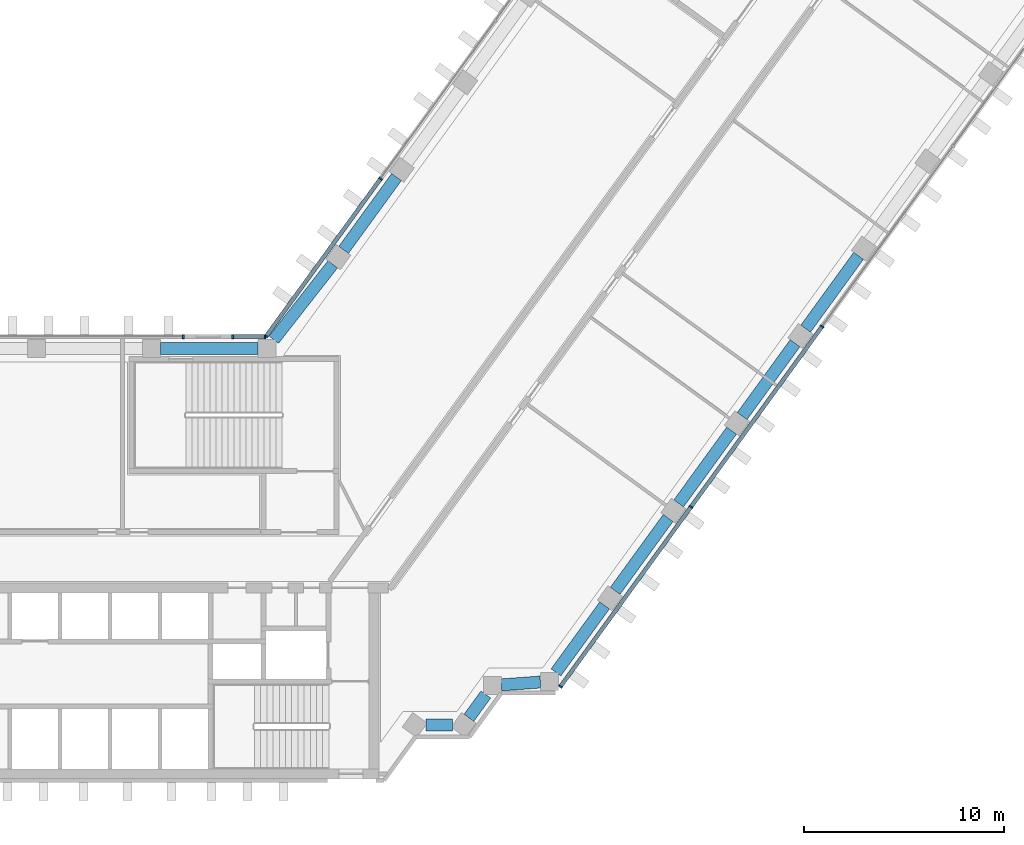
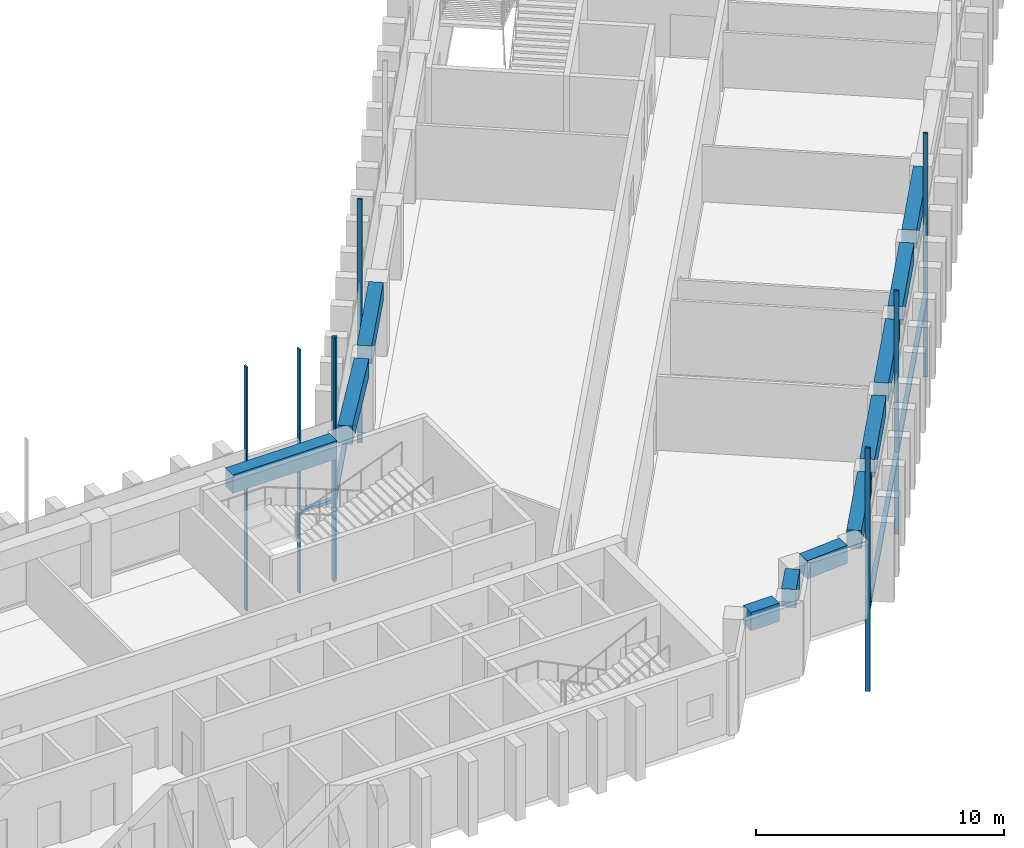
# One storey, part 5 of 18: 12 members, 11 beams, 4 elements without a shape of their own.
"""IFC4 building model written with IfcOpenShell, lengths in metres."""

import ifcopenshell
import ifcopenshell.guid

model = None  # the IFC model being written
_history = None  # IfcOwnerHistory: only IFC2X3 demands one
_inside = {}  # id of a spatial element -> (the spatial element, [elements in it])
_under = {}  # id of a project, library or spatial element -> (it, [spatial elements below it])
_declared = {}  # id of a project -> (the project, [libraries it declares])
_typed = {}  # id of a type object -> (the type object, [elements of that type])
_made_of = {}  # id of a material, layer set ... -> (it, [elements and type objects made of it])


def new_model(schema):
    """Start an empty IFC model of exactly this schema.

    Asked for "IFC4X3", IfcOpenShell would pick the latest addendum, in which some entities
    have other attributes; the version numbers below select the first issue.
    IFC2X3 requires an IfcOwnerHistory on every rooted entity: one is made here for all.
    """
    global model, _history
    if schema == "IFC4X3":
        model = ifcopenshell.file(schema_version=(4, 3, 0, 0))
    else:
        model = ifcopenshell.file(schema=schema)
    _inside.clear()
    _under.clear()
    _declared.clear()
    _typed.clear()
    _made_of.clear()
    _history = None
    if model.schema == "IFC2X3":
        org = make("IfcOrganization", Name="unknown")
        user = make(
            "IfcPersonAndOrganization",
            ThePerson=make("IfcPerson", FamilyName="unknown"),
            TheOrganization=org,
        )
        app = make(
            "IfcApplication",
            ApplicationDeveloper=org,
            Version="unknown",
            ApplicationFullName="unknown",
            ApplicationIdentifier="unknown",
        )
        _history = make(
            "IfcOwnerHistory",
            OwningUser=user,
            OwningApplication=app,
            ChangeAction="ADDED",
            CreationDate=0,
        )
    return model


def make(cls, **values):
    """One entity of the class cls with the attributes given. An attribute that is None is left unset."""
    return model.create_entity(
        cls, **{name: value for name, value in values.items() if value is not None}
    )


def rooted(cls, **values):
    """An entity with a GlobalId (a new one), such as an element, a storey or a relation."""
    return make(cls, GlobalId=ifcopenshell.guid.new(), OwnerHistory=_history, **values)


def si_unit(unit_type, name, prefix=None):
    """IfcSIUnit, for example si_unit("LENGTHUNIT", "METRE", prefix="MILLI")."""
    return make("IfcSIUnit", UnitType=unit_type, Prefix=prefix, Name=name)


def assignment(units):
    """IfcUnitAssignment: the units of a project."""
    return None if units is None else make("IfcUnitAssignment", Units=units)


def point(xyz):
    """IfcCartesianPoint."""
    return None if xyz is None else make("IfcCartesianPoint", Coordinates=xyz)


def direction(xyz):
    """IfcDirection."""
    return None if xyz is None else make("IfcDirection", DirectionRatios=xyz)


def frame(location, z_axis=None, x_axis=None):
    """IfcAxis2Placement3D, a coordinate frame: its origin and axes. An axis left out is left unset."""
    return make(
        "IfcAxis2Placement3D",
        Location=point(location),
        Axis=direction(z_axis),
        RefDirection=direction(x_axis),
    )


def frame_2d(location, x_axis=None):
    """IfcAxis2Placement2D, a coordinate frame in the plane: its origin and x axis."""
    return make(
        "IfcAxis2Placement2D", Location=point(location), RefDirection=direction(x_axis)
    )


def origin():
    """The frame at (0, 0, 0) with its axes left unset."""
    return frame((0.0, 0.0, 0.0))


def origin_2d():
    """The frame at (0, 0) in the plane with its x axis left unset."""
    return frame_2d((0.0, 0.0))


def place(relative_to, where):
    """IfcLocalPlacement: puts the frame where relative to a parent placement (None: the world)."""
    return make(
        "IfcLocalPlacement", PlacementRelTo=relative_to, RelativePlacement=where
    )


def context(
    kind, dimensions, precision=None, world=None, true_north=None, identifier=None
):
    """IfcGeometricRepresentationContext, for example the 3D "Model" context."""
    return make(
        "IfcGeometricRepresentationContext",
        ContextIdentifier=identifier,
        ContextType=kind,
        CoordinateSpaceDimension=dimensions,
        Precision=precision,
        WorldCoordinateSystem=world,
        TrueNorth=true_north,
    )


def subcontext(parent, identifier, kind, view, scale=None):
    """IfcGeometricRepresentationSubContext, for example "Body" below "Model"."""
    return make(
        "IfcGeometricRepresentationSubContext",
        ContextIdentifier=identifier,
        ContextType=kind,
        ParentContext=parent,
        TargetScale=scale,
        TargetView=view,
    )


def project(units=None, contexts=None):
    """IfcProject with its units and contexts."""
    return rooted(
        "IfcProject",
        Name="project",
        RepresentationContexts=contexts,
        UnitsInContext=assignment(units),
    )


def spatial(cls, under=None, at=None, **own):
    """A site, building, storey or space (cls), placed at a placement, below another one or the project."""
    s = rooted(cls, ObjectPlacement=at, **own)
    if under is not None:
        _under.setdefault(under.id(), (under, []))[1].append(s)
    return s


def profile(cls, at=None, kind="AREA", **sizes):
    """A parametric profile (cls). Its sizes go by their IFC names, for example OverallWidth=200.0."""
    return make(cls, ProfileType=kind, Position=at, **sizes)


def rectangle(**sizes):
    """IfcRectangleProfileDef."""
    return profile("IfcRectangleProfileDef", **sizes)


def extrude(swept, where, along, depth):
    """IfcExtrudedAreaSolid: the profile swept, set in the frame where, extruded along a direction by depth."""
    return make(
        "IfcExtrudedAreaSolid",
        SweptArea=swept,
        Position=where,
        ExtrudedDirection=direction(along),
        Depth=depth,
    )


def shape(context_of_items, identifier, shape_type, items):
    """IfcShapeRepresentation: the items that make up one representation, for example the "Body"."""
    return make(
        "IfcShapeRepresentation",
        ContextOfItems=context_of_items,
        RepresentationIdentifier=identifier,
        RepresentationType=shape_type,
        Items=items,
    )


def material(Name=None, Category=None):
    """IfcMaterial."""
    return make("IfcMaterial", Name=Name, Category=Category)


def material_profile(
    of_material, cross_section, Name=None, Category=None, Priority=None
):
    """IfcMaterialProfile: a cross section and its material."""
    return make(
        "IfcMaterialProfile",
        Name=Name,
        Material=of_material,
        Profile=cross_section,
        Priority=Priority,
        Category=Category,
    )


def profile_set(profiles, Name=None, composite=None):
    """IfcMaterialProfileSet."""
    return make(
        "IfcMaterialProfileSet",
        Name=Name,
        MaterialProfiles=profiles,
        CompositeProfile=composite,
    )


def made_of(thing, what):
    """Note that an element or type object is made of a material, layer set ...; save() writes the relation."""
    if what is not None:
        _made_of.setdefault(what.id(), (what, []))[1].append(thing)
    return thing


def type_object(cls, material=None, **own):
    """A type object (cls), such as IfcWallType, which elements share."""
    return made_of(rooted(cls, **own), material)


def element(
    cls,
    number,
    at=None,
    inside=None,
    cuts=None,
    type_object=None,
    material=None,
    context=None,
    identifier="Body",
    shape_type=None,
    held_by="IfcProductDefinitionShape",
    body=None,
    shapes=None,
    **own,
):
    """One element of the class cls, such as IfcWall. Its Tag is "e" and its number.

    at: its placement. inside: the storey or other place that contains it. cuts: it is an
    opening in that element (IfcRelVoidsElement). A single representation is given by context,
    identifier, shape_type and body (its items); several are given by shapes. held_by: the class
    of the entity that holds the representations. save() writes the other relations.
    """
    e = rooted(cls, Tag="e%d" % number, ObjectPlacement=at, **own)
    if body is not None:
        shapes = [shape(context, identifier, shape_type, body)]
    if shapes is not None:
        e.Representation = make(held_by, Representations=shapes)
    if inside is not None:
        _inside.setdefault(inside.id(), (inside, []))[1].append(e)
    if cuts is not None:
        rooted(
            "IfcRelVoidsElement", RelatingBuildingElement=cuts, RelatedOpeningElement=e
        )
    if type_object is not None:
        _typed.setdefault(type_object.id(), (type_object, []))[1].append(e)
    return made_of(e, material)


def aggregate(whole, parts):
    """IfcRelAggregates: a whole, such as a stair, and the parts it consists of."""
    return rooted("IfcRelAggregates", RelatingObject=whole, RelatedObjects=parts)


def save(model, path):
    """Write the relations noted so far, then the file.

    IfcRelAggregates (storeys below a building ...), IfcRelContainedInSpatialStructure (elements
    in a storey), IfcRelDefinesByType, IfcRelAssociatesMaterial and IfcRelDeclares: one each for
    every whole, place, type object, material and project.
    """
    for whole, parts in _under.values():
        aggregate(whole, parts)
    for where, things in _inside.values():
        rooted(
            "IfcRelContainedInSpatialStructure",
            RelatedElements=things,
            RelatingStructure=where,
        )
    for kind, things in _typed.values():
        rooted("IfcRelDefinesByType", RelatedObjects=things, RelatingType=kind)
    for what, things in _made_of.values():
        rooted("IfcRelAssociatesMaterial", RelatedObjects=things, RelatingMaterial=what)
    for by, libraries in _declared.values():
        rooted("IfcRelDeclares", RelatingContext=by, RelatedDefinitions=libraries)
    model.write(path)


model = new_model("IFC4")

# Units and contexts
model_context = context("Model", 3, precision=1e-05, world=origin(), true_north=direction((0.0, 1.0)))
body_context = subcontext(model_context, "Body", "Model", "MODEL_VIEW")
ifc_project = project(units=[si_unit("LENGTHUNIT", "METRE"), si_unit("AREAUNIT", "SQUARE_METRE"), si_unit("VOLUMEUNIT", "CUBIC_METRE"), si_unit("PLANEANGLEUNIT", "RADIAN"), si_unit("MASSUNIT", "GRAM", prefix="KILO")], contexts=[model_context])

# Site, building, storey
site_placement = place(None, origin())
site = spatial("IfcSite", under=ifc_project, at=site_placement, CompositionType="ELEMENT")
building_placement = place(site_placement, origin())
building = spatial("IfcBuilding", under=site, at=building_placement, Name="Quipu Civic Tower", CompositionType="ELEMENT")
storey_placement = place(building_placement, frame((0.0, 0.0, 71.0)))
storey = spatial("IfcBuildingStorey", under=building, at=storey_placement, Name="L16", CompositionType="ELEMENT", Elevation=71.0)

# Curtain wall, members
ifc_material_1 = material(Name="Insulated glass unit", Category="glass")
curtain_wall_type = type_object("IfcCurtainWallType", Name="Office curtain wall CW1", PredefinedType="NOTDEFINED", material=ifc_material_1)
curtain_wall_1_placement = place(storey_placement, origin())
curtain_wall_1 = element("IfcCurtainWall", 1, at=curtain_wall_1_placement, inside=storey, type_object=curtain_wall_type, Name="Office curtain wall CW1 L15 run 20", PredefinedType="NOTDEFINED")
ifc_material_2 = material(Name="Anodised aluminium", Category="aluminium")
ifc_material_profile_1 = material_profile(ifc_material_2, rectangle(XDim=0.199951171875, YDim=0.080078125, at=origin_2d()), Name="RECT 200x80")
ifc_profile_set_1 = profile_set([ifc_material_profile_1], Name="Anodised aluminium")
member_type_1 = type_object("IfcMemberType", Name="Mullion CW1", PredefinedType="MULLION", material=ifc_profile_set_1)
member_1_placement = place(storey_placement, frame((29.079345703125, -6.3876953125, -3.919921875), z_axis=(0.0, 0.0, 1.0), x_axis=(-0.809016770908, 0.587785559869, 0.0)))
member_1 = element("IfcMember", 2, at=member_1_placement, type_object=member_type_1, Name="CW1 mullion 1", PredefinedType="MULLION", context=body_context, shape_type="SweptSolid", body=[
    extrude(rectangle(XDim=0.199951171875, YDim=0.080078125, at=origin_2d()), origin(), (0.0, 0.0, 1.0), 12.0),
])
member_2_placement = place(storey_placement, frame((35.60546875, 2.594482421875, -3.919921875), z_axis=(0.0, 0.0, 1.0), x_axis=(-0.809016770908, 0.587785559869, 0.0)))
member_2 = element("IfcMember", 3, at=member_2_placement, type_object=member_type_1, Name="CW1 mullion 2", PredefinedType="MULLION", context=body_context, shape_type="SweptSolid", body=[
    extrude(rectangle(XDim=0.199951171875, YDim=0.080078125, at=origin_2d()), origin(), (0.0, 0.0, 1.0), 12.0),
])
member_3_placement = place(storey_placement, frame((42.155029296875, 11.609130859375, -3.919921875), z_axis=(0.0, 0.0, 1.0), x_axis=(-0.809016770908, 0.587785559869, 0.0)))
member_3 = element("IfcMember", 4, at=member_3_placement, type_object=member_type_1, Name="CW1 mullion 3", PredefinedType="MULLION", context=body_context, shape_type="SweptSolid", body=[
    extrude(rectangle(XDim=0.199951171875, YDim=0.080078125, at=origin_2d()), origin(), (0.0, 0.0, 1.0), 12.0),
])

curtain_wall_2_placement = place(storey_placement, origin())
curtain_wall_2 = element("IfcCurtainWall", 5, at=curtain_wall_2_placement, inside=storey, type_object=curtain_wall_type, Name="Office curtain wall CW1 L15 run 30", PredefinedType="NOTDEFINED")
member_4_placement = place(storey_placement, frame((20.08154296875, 18.996826171875, -3.919921875), z_axis=(0.0, 0.0, 1.0), x_axis=(0.809016532822, -0.587785887566, 0.0)))
member_4 = element("IfcMember", 6, at=member_4_placement, type_object=member_type_1, Name="CW1 mullion 4", PredefinedType="MULLION", context=body_context, shape_type="SweptSolid", body=[
    extrude(rectangle(XDim=0.199951171875, YDim=0.080078125, at=origin_2d()), origin(), (0.0, 0.0, 1.0), 12.0),
])
member_5_placement = place(storey_placement, frame((14.36767578125, 11.13232421875, -3.919921875), z_axis=(0.0, 0.0, 1.0), x_axis=(0.809016532822, -0.587785887566, 0.0)))
member_5 = element("IfcMember", 7, at=member_5_placement, type_object=member_type_1, Name="CW1 mullion 5", PredefinedType="MULLION", context=body_context, shape_type="SweptSolid", body=[
    extrude(rectangle(XDim=0.199951171875, YDim=0.080078125, at=origin_2d()), origin(), (0.0, 0.0, 1.0), 12.0),
])

curtain_wall_3_placement = place(storey_placement, origin())
curtain_wall_3 = element("IfcCurtainWall", 8, at=curtain_wall_3_placement, inside=storey, type_object=curtain_wall_type, Name="Office curtain wall CW1 L15 run 31", PredefinedType="NOTDEFINED")
member_6_placement = place(storey_placement, frame((14.30419921875, 11.10009765625, -3.919921875), z_axis=(0.0, 0.0, 1.0), x_axis=(0.0, -1.0, 0.0)))
member_6 = element("IfcMember", 9, at=member_6_placement, type_object=member_type_1, Name="CW1 mullion 1", PredefinedType="MULLION", context=body_context, shape_type="SweptSolid", body=[
    extrude(rectangle(XDim=0.199951171875, YDim=0.080078125, at=origin_2d()), origin(), (0.0, 0.0, 1.0), 12.0),
])
member_7_placement = place(storey_placement, frame((12.695068359375, 11.10009765625, -3.919921875), z_axis=(0.0, 0.0, 1.0), x_axis=(0.0, -1.0, 0.0)))
member_7 = element("IfcMember", 10, at=member_7_placement, type_object=member_type_1, Name="CW1 mullion 2", PredefinedType="MULLION", context=body_context, shape_type="SweptSolid", body=[
    extrude(rectangle(XDim=0.199951171875, YDim=0.080078125, at=origin_2d()), origin(), (0.0, 0.0, 1.0), 12.0),
])

# Curtain wall, member
curtain_wall_4_placement = place(storey_placement, origin())
curtain_wall_4 = element("IfcCurtainWall", 11, at=curtain_wall_4_placement, inside=storey, type_object=curtain_wall_type, Name="Office curtain wall CW1 L15 run 33", PredefinedType="NOTDEFINED")
member_8_placement = place(storey_placement, frame((10.223388671875, 11.10009765625, -3.919921875), z_axis=(0.0, 0.0, 1.0), x_axis=(0.0, -1.0, 0.0)))
member_8 = element("IfcMember", 12, at=member_8_placement, type_object=member_type_1, Name="CW1 mullion 1", PredefinedType="MULLION", context=body_context, shape_type="SweptSolid", body=[
    extrude(rectangle(XDim=0.199951171875, YDim=0.080078125, at=origin_2d()), origin(), (0.0, 0.0, 1.0), 12.0),
])
aggregate(curtain_wall_4, [member_8])

# Beams
ifc_material_3 = material(Name="Concrete C50/60", Category="concrete")
ifc_material_profile_2 = material_profile(ifc_material_3, rectangle(XDim=0.60009765625, YDim=0.89990234375, at=origin_2d()), Name="RC600x900")
ifc_profile_set_2 = profile_set([ifc_material_profile_2], Name="Concrete C50/60")
beam_type = type_object("IfcBeamType", Name="Spandrel beam RC 600x900 C50/60", PredefinedType="SPANDREL", material=ifc_profile_set_2)
beam_1_placement = place(storey_placement, frame((22.34814453125, -8.31494140625, 3.199951171875), z_axis=(1.0, 0.0, 0.0), x_axis=(0.0, 1.0, 0.0)))
element("IfcBeam", 13, at=beam_1_placement, inside=storey, type_object=beam_type, Name="Spandrel beam L16 J-Eo.1 to J-Eo.2", PredefinedType="SPANDREL", context=body_context, shape_type="SweptSolid", body=[
    extrude(rectangle(XDim=0.60009765625, YDim=0.89990234375, at=origin_2d()), origin(), (0.0, 0.0, 1.0), 1.33056640625),
])
beam_2_placement = place(storey_placement, frame((24.499755859375, -7.951171875, 3.199951171875), z_axis=(0.588433824377, 0.808545381738, 0.0), x_axis=(-0.808545381738, 0.588433824377, 0.0)))
element("IfcBeam", 14, at=beam_2_placement, inside=storey, type_object=beam_type, Name="Spandrel beam L16 J-Eo.2 to J-Eo.3", PredefinedType="SPANDREL", context=body_context, shape_type="SweptSolid", body=[
    extrude(rectangle(XDim=0.60009765625, YDim=0.89990234375, at=origin_2d()), origin(), (0.0, 0.0, 1.0), 1.439697265625),
])
beam_3_placement = place(storey_placement, frame((26.12451171875, -6.304443359375, 3.199951171875), z_axis=(0.997365981169, 0.072533437859, 0.0), x_axis=(-0.072533437859, 0.997365981169, 0.0)))
element("IfcBeam", 15, at=beam_3_placement, inside=storey, type_object=beam_type, Name="Spandrel beam L16 J-Eo.3 to J-Eo.4", PredefinedType="SPANDREL", context=body_context, shape_type="SweptSolid", body=[
    extrude(rectangle(XDim=0.60009765625, YDim=0.89990234375, at=origin_2d()), origin(), (0.0, 0.0, 1.0), 1.95556640625),
])
beam_4_placement = place(storey_placement, frame((28.85205078125, -5.679931640625, 3.199951171875), z_axis=(0.587750565781, 0.809042194464, 0.0), x_axis=(-0.809042194464, 0.587750565781, 0.0)))
element("IfcBeam", 16, at=beam_4_placement, inside=storey, type_object=beam_type, Name="Spandrel beam L16 J-Eo.4 to E-OUT-01", PredefinedType="SPANDREL", context=body_context, shape_type="SweptSolid", body=[
    extrude(rectangle(XDim=0.60009765625, YDim=0.89990234375, at=origin_2d()), origin(), (0.0, 0.0, 1.0), 4.13720703125),
])
beam_5_placement = place(storey_placement, frame((31.812744140625, -1.604736328125, 3.199951171875), z_axis=(0.587778073121, 0.809022210299, 0.0), x_axis=(-0.809022210299, 0.587778073121, 0.0)))
element("IfcBeam", 17, at=beam_5_placement, inside=storey, type_object=beam_type, Name="Spandrel beam L16 E-OUT-01 to E-OUT-02", PredefinedType="SPANDREL", context=body_context, shape_type="SweptSolid", body=[
    extrude(rectangle(XDim=0.60009765625, YDim=0.89990234375, at=origin_2d()), origin(), (0.0, 0.0, 1.0), 4.5),
])
beam_6_placement = place(storey_placement, frame((34.98681640625, 2.76416015625, 3.199951171875), z_axis=(0.587803872688, 0.809003465539, 0.0), x_axis=(-0.809003465539, 0.587803872688, 0.0)))
element("IfcBeam", 18, at=beam_6_placement, inside=storey, type_object=beam_type, Name="Spandrel beam L16 E-OUT-02 to E-OUT-03", PredefinedType="SPANDREL", context=body_context, shape_type="SweptSolid", body=[
    extrude(rectangle(XDim=0.60009765625, YDim=0.89990234375, at=origin_2d()), origin(), (0.0, 0.0, 1.0), 4.499755859375),
])
for number, where, z_axis, x_axis, name in (
    (19, (38.160888671875, 7.1328125, 3.199951171875), (0.587778073121, 0.809022210299, 0.0), (-0.809022210299, 0.587778073121, 0.0), "Spandrel beam L16 E-OUT-03 to E-OUT-04"),
    (20, (41.3349609375, 11.50146484375, 3.199951171875), (0.587778073121, 0.809022210299, 0.0), (-0.809022210299, 0.587778073121, 0.0), "Spandrel beam L16 E-OUT-04 to E-OUT-05"),
    (21, (20.8828125, 19.079833984375, 3.199951171875), (-0.587716763865, -0.809066749701, 0.0), (0.809066749701, -0.587716763865, 0.0), "Spandrel beam L16 E-IN-02 to E-IN-01"),
):
    element("IfcBeam", number, at=place(storey_placement, frame(where, z_axis=z_axis, x_axis=x_axis)), inside=storey, type_object=beam_type, Name=name, PredefinedType="SPANDREL", context=body_context, shape_type="SweptSolid", body=[
        extrude(rectangle(XDim=0.60009765625, YDim=0.89990234375, at=origin_2d()), origin(), (0.0, 0.0, 1.0), 4.5),
    ])
beam_7_placement = place(storey_placement, frame((17.6962890625, 14.72021484375, 3.199951171875), z_axis=(-0.616123961998, -0.787649200756, 0.0), x_axis=(0.787649200756, -0.616123961998, 0.0)))
element("IfcBeam", 22, at=beam_7_placement, inside=storey, type_object=beam_type, Name="Spandrel beam L16 E-IN-01 to J-Ei.0", PredefinedType="SPANDREL", context=body_context, shape_type="SweptSolid", body=[
    extrude(rectangle(XDim=0.60009765625, YDim=0.89990234375, at=origin_2d()), origin(), (0.0, 0.0, 1.0), 4.78662109375),
])
beam_8_placement = place(storey_placement, frame((13.9453125, 10.5, 3.199951171875), z_axis=(-1.0, 0.0, 0.0), x_axis=(0.0, -1.0, 0.0)))
element("IfcBeam", 23, at=beam_8_placement, inside=storey, type_object=beam_type, Name="Spandrel beam L16 J-Ei.0 to FRONT-01", PredefinedType="SPANDREL", context=body_context, shape_type="SweptSolid", body=[
    extrude(rectangle(XDim=0.60009765625, YDim=0.89990234375, at=origin_2d()), origin(), (0.0, 0.0, 1.0), 4.858154296875),
])

# Member
ifc_material_4 = material(Name="Anodised aluminium", Category="aluminium")
ifc_material_profile_3 = material_profile(ifc_material_4, rectangle(XDim=0.199951171875, YDim=0.159912109375, at=origin_2d()), Name="RECT 200x160")
ifc_profile_set_3 = profile_set([ifc_material_profile_3], Name="Anodised aluminium")
member_type_2 = type_object("IfcMemberType", Name="Transom CW1", PredefinedType="USERDEFINED", material=ifc_profile_set_3)
member_9_placement = place(storey_placement, frame((29.10302734375, -6.35546875, 0.080078125), z_axis=(0.587779179422, 0.809021406539, 0.0), x_axis=(-0.809021406539, 0.587779179422, 0.0)))
member_9 = element("IfcMember", 24, at=member_9_placement, type_object=member_type_2, Name="CW1 transom 1.2", ObjectType="TRANSOM", PredefinedType="USERDEFINED", context=body_context, shape_type="SweptSolid", body=[
    extrude(rectangle(XDim=0.199951171875, YDim=0.159912109375, at=origin_2d()), origin(), (0.0, 0.0, 1.0), 11.02294921875),
])

member_10_placement = place(storey_placement, frame((35.62890625, 2.626953125, 0.080078125), z_axis=(0.587795037589, 0.80900988485, 0.0), x_axis=(-0.80900988485, 0.587795037589, 0.0)))
member_10 = element("IfcMember", 25, at=member_10_placement, type_object=member_type_2, Name="CW1 transom 2.2", ObjectType="TRANSOM", PredefinedType="USERDEFINED", context=body_context, shape_type="SweptSolid", body=[
    extrude(rectangle(XDim=0.199951171875, YDim=0.159912109375, at=origin_2d()), origin(), (0.0, 0.0, 1.0), 11.062744140625),
])

aggregate(curtain_wall_1, [member_1, member_2, member_3, member_9, member_10])

member_11_placement = place(storey_placement, frame((20.05810546875, 18.964599609375, 0.080078125), z_axis=(-0.58779220199, -0.809011945079, 0.0), x_axis=(0.809011945079, -0.58779220199, 0.0)))
member_11 = element("IfcMember", 26, at=member_11_placement, type_object=member_type_2, Name="CW1 transom 4.2", ObjectType="TRANSOM", PredefinedType="USERDEFINED", context=body_context, shape_type="SweptSolid", body=[
    extrude(rectangle(XDim=0.199951171875, YDim=0.159912109375, at=origin_2d()), origin(), (0.0, 0.0, 1.0), 9.64111328125),
])

aggregate(curtain_wall_2, [member_4, member_5, member_11])

member_12_placement = place(storey_placement, frame((14.26416015625, 11.10009765625, 0.080078125), z_axis=(-1.0, 0.0, 0.0), x_axis=(0.0, -1.0, 0.0)))
member_12 = element("IfcMember", 27, at=member_12_placement, type_object=member_type_2, Name="CW1 transom 1.2", ObjectType="TRANSOM", PredefinedType="USERDEFINED", context=body_context, shape_type="SweptSolid", body=[
    extrude(rectangle(XDim=0.199951171875, YDim=0.159912109375, at=origin_2d()), origin(), (0.0, 0.0, 1.0), 1.529052734375),
])

aggregate(curtain_wall_3, [member_6, member_7, member_12])

save(model, "model.ifc")
